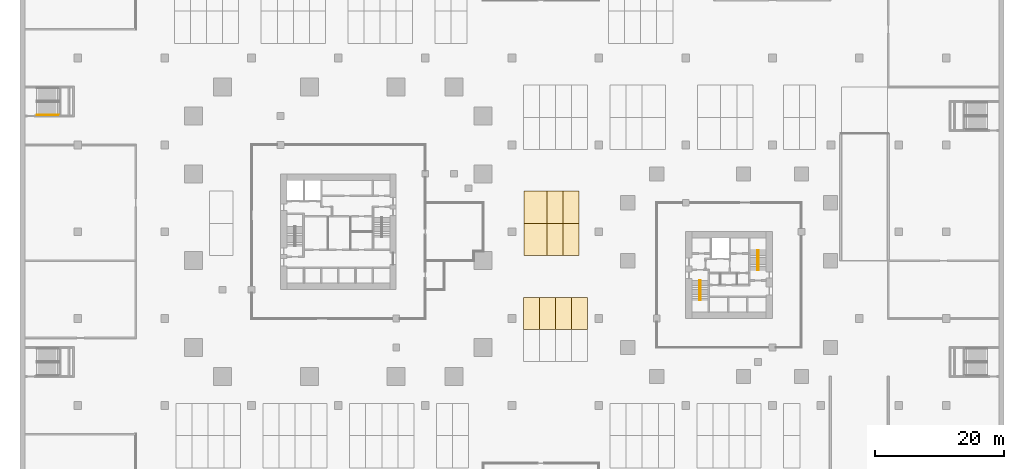
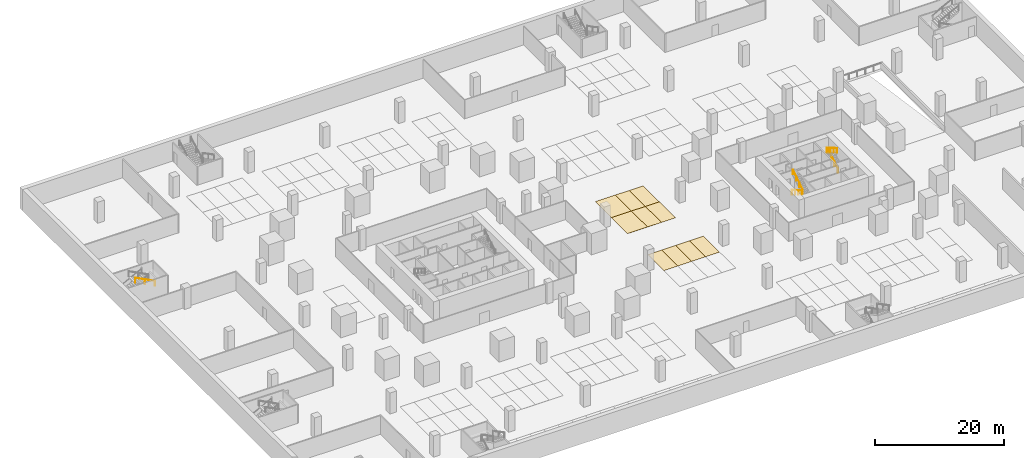
# One storey, part 23 of 31: 10 coverings, 5 railings.
"""IFC4 building model written with IfcOpenShell, lengths in metres."""

from ifc_helpers import new_model, si_unit, direction, frame, origin, origin_2d, place, context, subcontext, project, spatial, polyline, circle, outline, extrude, source, transform, mapped, material, layer, layer_set, type_object, element, save


model = new_model("IFC4")

# Units and contexts
model_context = context("Model", 3, precision=1e-05, world=origin(), true_north=direction((0.0, 1.0)))
body_context = subcontext(model_context, "Body", "Model", "MODEL_VIEW")
ifc_project = project(units=[si_unit("LENGTHUNIT", "METRE"), si_unit("AREAUNIT", "SQUARE_METRE"), si_unit("VOLUMEUNIT", "CUBIC_METRE"), si_unit("PLANEANGLEUNIT", "RADIAN"), si_unit("MASSUNIT", "GRAM", prefix="KILO")], contexts=[model_context])

# Site, building, storey
site_placement = place(None, origin())
site = spatial("IfcSite", under=ifc_project, at=site_placement, CompositionType="ELEMENT")
building_placement = place(site_placement, origin())
building = spatial("IfcBuilding", under=site, at=building_placement, Name="Altepetl Exchange Towers", CompositionType="ELEMENT")
storey_placement = place(building_placement, frame((0.0, 0.0, -4.0)))
storey = spatial("IfcBuildingStorey", under=building, at=storey_placement, Name="B1 Basement services", CompositionType="ELEMENT", Elevation=-4.0)

# Coverings
ifc_material_1 = material(Name="Road marking paint")
ifc_layer_1 = layer(ifc_material_1, 0.010009765625)
ifc_layer_set_1 = layer_set([ifc_layer_1], Name="Road marking paint")
covering_type_1 = type_object("IfcCoveringType", Name="Accessible parking bay marking 3600 x 5000", PredefinedType="FLOORING", material=ifc_layer_set_1)
covering_1_placement = place(storey_placement, origin())
element("IfcCovering", 1, at=covering_1_placement, inside=storey, type_object=covering_type_1, Name="Accessible parking bay B1-081", PredefinedType="FLOORING", context=body_context, shape_type="SweptSolid", body=[
    extrude(outline(polyline([(78.35009765625, 45.800048828125), (81.949951171875, 45.800048828125), (81.949951171875, 50.800048828125), (78.35009765625, 50.800048828125), (78.35009765625, 45.800048828125)])), origin(), (0.0, 0.0, 1.0), 0.010009765625),
])
covering_2_placement = place(storey_placement, origin())
element("IfcCovering", 2, at=covering_2_placement, inside=storey, type_object=covering_type_1, Name="Accessible parking bay B1-085", PredefinedType="FLOORING", context=body_context, shape_type="SweptSolid", body=[
    extrude(outline(polyline([(78.35009765625, 50.800048828125), (81.949951171875, 50.800048828125), (81.949951171875, 55.800048828125), (78.35009765625, 55.800048828125), (78.35009765625, 50.800048828125)])), origin(), (0.0, 0.0, 1.0), 0.010009765625),
])
ifc_layer_2 = layer(ifc_material_1, 0.010009765625)
ifc_layer_set_2 = layer_set([ifc_layer_2], Name="Road marking paint")
covering_type_2 = type_object("IfcCoveringType", Name="Parking bay marking 2500 x 5000", PredefinedType="FLOORING", material=ifc_layer_set_2)
covering_3_placement = place(storey_placement, origin())
element("IfcCovering", 3, at=covering_3_placement, inside=storey, type_object=covering_type_2, Name="Parking bay B1-076", PredefinedType="FLOORING", context=body_context, shape_type="SweptSolid", body=[
    extrude(outline(polyline([(78.25, 34.300048828125), (80.75, 34.300048828125), (80.75, 39.300048828125), (78.25, 39.300048828125), (78.25, 34.300048828125)])), origin(), (0.0, 0.0, 1.0), 0.010009765625),
])
covering_4_placement = place(storey_placement, origin())
element("IfcCovering", 4, at=covering_4_placement, inside=storey, type_object=covering_type_2, Name="Parking bay B1-077", PredefinedType="FLOORING", context=body_context, shape_type="SweptSolid", body=[
    extrude(outline(polyline([(80.75, 34.300048828125), (83.25, 34.300048828125), (83.25, 39.300048828125), (80.75, 39.300048828125), (80.75, 34.300048828125)])), origin(), (0.0, 0.0, 1.0), 0.010009765625),
])
covering_5_placement = place(storey_placement, origin())
element("IfcCovering", 5, at=covering_5_placement, inside=storey, type_object=covering_type_2, Name="Parking bay B1-078", PredefinedType="FLOORING", context=body_context, shape_type="SweptSolid", body=[
    extrude(outline(polyline([(83.25, 34.300048828125), (85.75, 34.300048828125), (85.75, 39.300048828125), (83.25, 39.300048828125), (83.25, 34.300048828125)])), origin(), (0.0, 0.0, 1.0), 0.010009765625),
])
covering_6_placement = place(storey_placement, origin())
element("IfcCovering", 6, at=covering_6_placement, inside=storey, type_object=covering_type_2, Name="Parking bay B1-079", PredefinedType="FLOORING", context=body_context, shape_type="SweptSolid", body=[
    extrude(outline(polyline([(85.75, 34.300048828125), (88.25, 34.300048828125), (88.25, 39.300048828125), (85.75, 39.300048828125), (85.75, 34.300048828125)])), origin(), (0.0, 0.0, 1.0), 0.010009765625),
])
covering_7_placement = place(storey_placement, origin())
element("IfcCovering", 7, at=covering_7_placement, inside=storey, type_object=covering_type_2, Name="Parking bay B1-082", PredefinedType="FLOORING", context=body_context, shape_type="SweptSolid", body=[
    extrude(outline(polyline([(81.949951171875, 45.800048828125), (84.449951171875, 45.800048828125), (84.449951171875, 50.800048828125), (81.949951171875, 50.800048828125), (81.949951171875, 45.800048828125)])), origin(), (0.0, 0.0, 1.0), 0.010009765625),
])
covering_8_placement = place(storey_placement, origin())
element("IfcCovering", 8, at=covering_8_placement, inside=storey, type_object=covering_type_2, Name="Parking bay B1-083", PredefinedType="FLOORING", context=body_context, shape_type="SweptSolid", body=[
    extrude(outline(polyline([(84.449951171875, 45.800048828125), (86.949951171875, 45.800048828125), (86.949951171875, 50.800048828125), (84.449951171875, 50.800048828125), (84.449951171875, 45.800048828125)])), origin(), (0.0, 0.0, 1.0), 0.010009765625),
])
covering_9_placement = place(storey_placement, origin())
element("IfcCovering", 9, at=covering_9_placement, inside=storey, type_object=covering_type_2, Name="Parking bay B1-086", PredefinedType="FLOORING", context=body_context, shape_type="SweptSolid", body=[
    extrude(outline(polyline([(81.949951171875, 50.800048828125), (84.449951171875, 50.800048828125), (84.449951171875, 55.800048828125), (81.949951171875, 55.800048828125), (81.949951171875, 50.800048828125)])), origin(), (0.0, 0.0, 1.0), 0.010009765625),
])
covering_10_placement = place(storey_placement, origin())
element("IfcCovering", 10, at=covering_10_placement, inside=storey, type_object=covering_type_2, Name="Parking bay B1-087", PredefinedType="FLOORING", context=body_context, shape_type="SweptSolid", body=[
    extrude(outline(polyline([(84.449951171875, 50.800048828125), (86.949951171875, 50.800048828125), (86.949951171875, 55.800048828125), (84.449951171875, 55.800048828125), (84.449951171875, 50.800048828125)])), origin(), (0.0, 0.0, 1.0), 0.010009765625),
])

# Railings
ifc_material_2 = material(Name="Steel", Category="steel")
railing_type_1 = type_object("IfcRailingType", Name="Stair handrail 50 steel tube", PredefinedType="HANDRAIL", material=ifc_material_2)
shared_shape_1 = source(origin(), body_context, "Body", "SweptSolid", [
    extrude(circle(Radius=0.02099609375, at=origin_2d()), origin(), (0.0, 0.0, 1.0), 0.851806640625),
])
railing_1_placement = place(storey_placement, frame((105.669921875, 41.949951171875, 0.166748046875)))
element("IfcRailing", 11, at=railing_1_placement, inside=storey, type_object=railing_type_1, Name="Stair handrail", PredefinedType="HANDRAIL", context=body_context, shape_type="SweptSolid", body=[
    extrude(circle(Radius=0.02392578125, at=origin_2d()), frame((0.0, 0.0, 0.8759765625), z_axis=(0.0, -0.859290745958, 0.51148745235), x_axis=(1.0, 0.0, 0.0)), (0.0, 0.0, 1.0), 3.584228515625),
    mapped(shared_shape_1, transform((0.0, 0.0, 0.0))),
    mapped(shared_shape_1, transform((0.0, -1.026611328125, 0.611083984375))),
    mapped(shared_shape_1, transform((0.0, -2.05322265625, 1.22216796875))),
    mapped(shared_shape_1, transform((0.0, -3.079833984375, 1.833251953125))),
])
for number, where, name in (
    (12, (105.830078125, 38.8701171875, 2.166748046875), "Stair handrail"),
    (13, (114.830078125, 43.550048828125, 0.166748046875), "Stair handrail"),
):
    element("IfcRailing", number, at=place(storey_placement, frame(where)), inside=storey, type_object=railing_type_1, Name=name, PredefinedType="HANDRAIL", context=body_context, shape_type="SweptSolid", body=[
        extrude(circle(Radius=0.02392578125, at=origin_2d()), frame((0.0, 0.0, 0.8759765625), z_axis=(0.0, 0.859290745958, 0.51148745235), x_axis=(-1.0, 0.0, 0.0)), (0.0, 0.0, 1.0), 3.584228515625),
        mapped(shared_shape_1, transform((0.0, 0.0, 0.0))),
        mapped(shared_shape_1, transform((0.0, 1.026611328125, 0.611083984375))),
        mapped(shared_shape_1, transform((0.0, 2.05322265625, 1.22216796875))),
        mapped(shared_shape_1, transform((0.0, 3.079833984375, 1.833251953125))),
    ])
railing_2_placement = place(storey_placement, frame((114.669921875, 46.6298828125, 2.166748046875)))
element("IfcRailing", 14, at=railing_2_placement, inside=storey, type_object=railing_type_1, Name="Stair handrail", PredefinedType="HANDRAIL", context=body_context, shape_type="SweptSolid", body=[
    extrude(circle(Radius=0.02392578125, at=origin_2d()), frame((0.0, 0.0, 0.8759765625), z_axis=(0.0, -0.859290745958, 0.51148745235), x_axis=(1.0, 0.0, 0.0)), (0.0, 0.0, 1.0), 3.584228515625),
    mapped(shared_shape_1, transform((0.0, 0.0, 0.0))),
    mapped(shared_shape_1, transform((0.0, -1.026611328125, 0.611083984375))),
    mapped(shared_shape_1, transform((0.0, -2.05322265625, 1.22216796875))),
    mapped(shared_shape_1, transform((0.0, -3.079833984375, 1.833251953125))),
])
ifc_material_3 = material(Name="Stainless steel", Category="steel")
railing_type_2 = type_object("IfcRailingType", Name="Stair handrail 900", PredefinedType="HANDRAIL", material=ifc_material_3)
shared_shape_2 = source(origin(), body_context, "Body", "SweptSolid", [
    extrude(circle(Radius=0.02001953125, at=origin_2d()), origin(), (0.0, 0.0, 1.0), 0.849853515625),
])
railing_3_placement = place(storey_placement, frame((6.1201171875, 67.64990234375, 2.166748046875)))
element("IfcRailing", 15, at=railing_3_placement, inside=storey, type_object=railing_type_2, Name="rail:P:B1:ES4:2b", PredefinedType="HANDRAIL", context=body_context, shape_type="SweptSolid", body=[
    extrude(circle(Radius=0.02490234375, at=origin_2d()), frame((0.0, 0.0, 0.875), z_axis=(-0.886923534906, 0.0, 0.461916272965), x_axis=(0.0, -1.0, 0.0)), (0.0, 0.0, 1.0), 3.96875),
    mapped(shared_shape_2, transform((0.0, 0.0, 0.0))),
    mapped(shared_shape_2, transform((-1.760009765625, 0.0, 0.91650390625))),
    mapped(shared_shape_2, transform((-3.52001953125, 0.0, 1.833251953125))),
])

save(model, "model.ifc")
